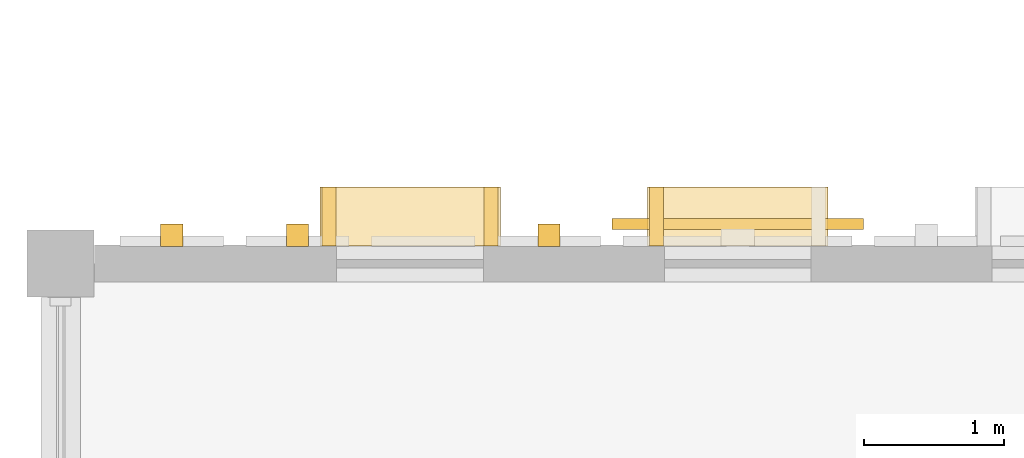
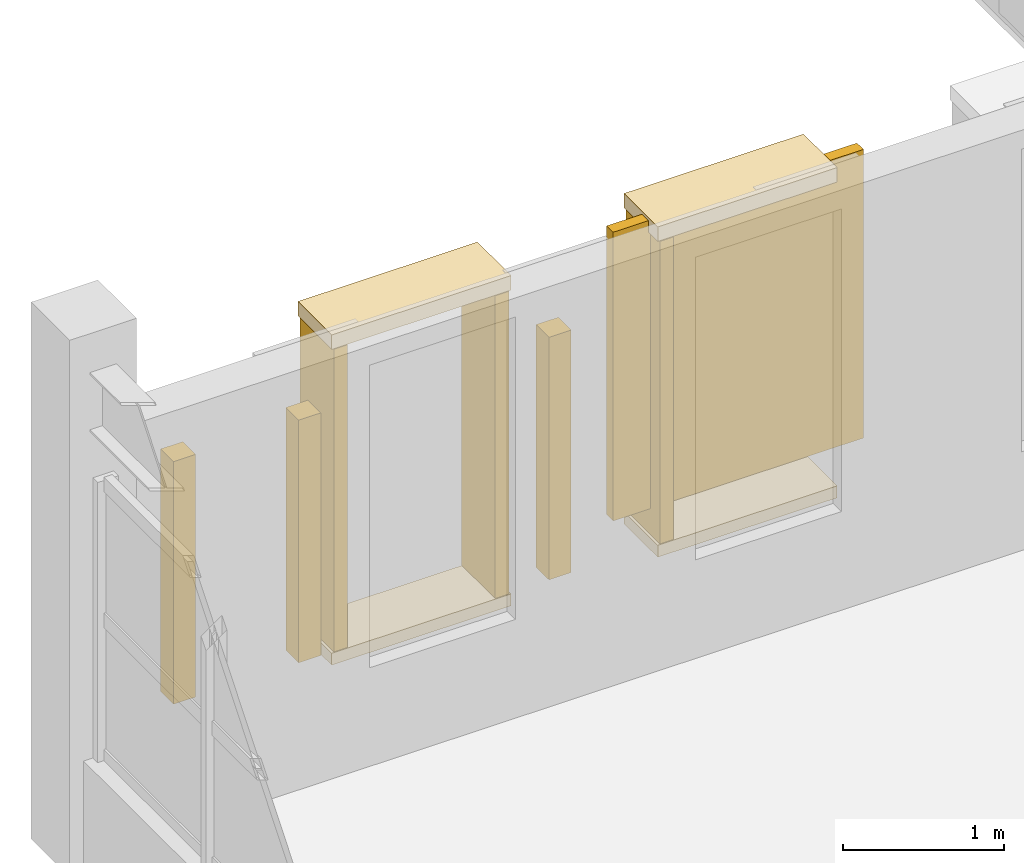
# One storey, part 66 of 79: 10 coverings, 1 shading device.
"""IFC4 building model written with IfcOpenShell, lengths in metres."""

from ifc_helpers import new_model, si_unit, direction, frame, origin, origin_2d, place, context, subcontext, project, spatial, rectangle, extrude, material, layer, layer_set, type_object, element, save


model = new_model("IFC4")

# Units and contexts
model_context = context("Model", 3, precision=1e-05, world=origin(), true_north=direction((0.0, 1.0)))
body_context = subcontext(model_context, "Body", "Model", "MODEL_VIEW")
ifc_project = project(units=[si_unit("LENGTHUNIT", "METRE"), si_unit("AREAUNIT", "SQUARE_METRE"), si_unit("VOLUMEUNIT", "CUBIC_METRE"), si_unit("PLANEANGLEUNIT", "RADIAN"), si_unit("MASSUNIT", "GRAM", prefix="KILO")], contexts=[model_context])

# Site, building, storey
site_placement = place(None, origin())
site = spatial("IfcSite", under=ifc_project, at=site_placement, CompositionType="ELEMENT")
building_placement = place(site_placement, origin())
building = spatial("IfcBuilding", under=site, at=building_placement, Name="Nzembalo Square Collegiate School", CompositionType="ELEMENT")
storey_placement = place(building_placement, frame((0.0, 0.0, 9.52001953125)))
storey = spatial("IfcBuildingStorey", under=building, at=storey_placement, Name="L02", CompositionType="ELEMENT", Elevation=9.52001953125)

# Coverings
ifc_material_1 = material(Name="Glazed ochre ceramic lancet rib")
ifc_layer_1 = layer(ifc_material_1, 0.159912109375, Name="Glazed ochre ceramic lancet rib")
ifc_layer_set_1 = layer_set([ifc_layer_1], Name="Glazed ochre ceramic lancet rib")
covering_type_1 = type_object("IfcCoveringType", Name="CL02", PredefinedType="CLADDING", material=ifc_layer_set_1)
for number, where, z_axis, x_axis, name in (
    (1, (131.594970703125, 50.6025390625, 0.759765625), (0.0, 0.0, 1.0), (1.0, 0.0, 0.0), "Gothic ceramic rib CL02-X0147-0"),
    (2, (132.4951171875, 50.6025390625, 0.759765625), (0.0, 0.0, 1.0), (1.0, 0.0, 0.0), "Gothic ceramic rib CL02-X0147-1"),
    (3, (134.294921875, 50.6025390625, 0.759765625), (0.0, 0.0, 1.0), (1.0, 0.0, 0.0), "Gothic ceramic rib CL02-X0147-3"),
):
    element("IfcCovering", number, at=place(storey_placement, frame(where, z_axis=z_axis, x_axis=x_axis)), inside=storey, type_object=covering_type_1, Name=name, PredefinedType="CLADDING", context=body_context, shape_type="SweptSolid", body=[
        extrude(rectangle(XDim=0.159912109375, YDim=0.159912109375, at=origin_2d()), origin(), (0.0, 0.0, 1.0), 1.843994140625),
    ])
ifc_material_2 = material(Name="Glazed celadon ceramic window frame")
ifc_layer_2 = layer(ifc_material_2, 0.419921875, Name="Glazed celadon ceramic window frame")
ifc_layer_set_2 = layer_set([ifc_layer_2], Name="Glazed celadon ceramic window frame")
covering_type_2 = type_object("IfcCoveringType", Name="WF01", PredefinedType="CLADDING", material=ifc_layer_set_2)
covering_1_placement = place(storey_placement, frame((133.301025390625, 50.737548828125, 3.0546875), z_axis=(0.0, 0.0, 1.0), x_axis=(1.0, 0.0, 0.0)))
element("IfcCovering", 4, at=covering_1_placement, inside=storey, type_object=covering_type_2, Name="Deep lancet window hood WF01-0380", PredefinedType="CLADDING", context=body_context, shape_type="SweptSolid", body=[
    extrude(rectangle(XDim=1.2900390625, YDim=0.419921875, at=origin_2d()), origin(), (0.0, 0.0, 1.0), 0.110107421875),
])
covering_2_placement = place(storey_placement, frame((133.301025390625, 50.737548828125, 0.65478515625), z_axis=(0.0, 0.0, 1.0), x_axis=(1.0, 0.0, 0.0)))
element("IfcCovering", 5, at=covering_2_placement, inside=storey, type_object=covering_type_2, Name="Deep lancet window sill WF01-0380", PredefinedType="CLADDING", context=body_context, shape_type="SweptSolid", body=[
    extrude(rectangle(XDim=1.2900390625, YDim=0.419921875, at=origin_2d()), origin(), (0.0, 0.0, 1.0), 0.090087890625),
])
for number, where, z_axis, x_axis, name in (
    (6, (132.720947265625, 50.737548828125, 0.75), (0.0, 0.0, 1.0), (1.0, 0.0, 0.0), "Deep lancet window jamb WF01-0380L"),
    (7, (133.881103515625, 50.737548828125, 0.75), (0.0, 0.0, 1.0), (1.0, 0.0, 0.0), "Deep lancet window jamb WF01-0380R"),
):
    element("IfcCovering", number, at=place(storey_placement, frame(where, z_axis=z_axis, x_axis=x_axis)), inside=storey, type_object=covering_type_2, Name=name, PredefinedType="CLADDING", context=body_context, shape_type="SweptSolid", body=[
        extrude(rectangle(XDim=0.10009765625, YDim=0.419921875, at=origin_2d()), origin(), (0.0, 0.0, 1.0), 2.300048828125),
    ])
covering_3_placement = place(storey_placement, frame((135.64501953125, 50.737548828125, 3.0546875), z_axis=(0.0, 0.0, 1.0), x_axis=(1.0, 0.0, 0.0)))
element("IfcCovering", 8, at=covering_3_placement, inside=storey, type_object=covering_type_2, Name="Deep lancet window hood WF01-0381", PredefinedType="CLADDING", context=body_context, shape_type="SweptSolid", body=[
    extrude(rectangle(XDim=1.2900390625, YDim=0.419921875, at=origin_2d()), origin(), (0.0, 0.0, 1.0), 0.110107421875),
])
covering_4_placement = place(storey_placement, frame((135.64501953125, 50.737548828125, 0.65478515625), z_axis=(0.0, 0.0, 1.0), x_axis=(1.0, 0.0, 0.0)))
element("IfcCovering", 9, at=covering_4_placement, inside=storey, type_object=covering_type_2, Name="Deep lancet window sill WF01-0381", PredefinedType="CLADDING", context=body_context, shape_type="SweptSolid", body=[
    extrude(rectangle(XDim=1.2900390625, YDim=0.419921875, at=origin_2d()), origin(), (0.0, 0.0, 1.0), 0.090087890625),
])
covering_5_placement = place(storey_placement, frame((135.06494140625, 50.737548828125, 0.75), z_axis=(0.0, 0.0, 1.0), x_axis=(1.0, 0.0, 0.0)))
element("IfcCovering", 10, at=covering_5_placement, inside=storey, type_object=covering_type_2, Name="Deep lancet window jamb WF01-0381L", PredefinedType="CLADDING", context=body_context, shape_type="SweptSolid", body=[
    extrude(rectangle(XDim=0.10009765625, YDim=0.419921875, at=origin_2d()), origin(), (0.0, 0.0, 1.0), 2.300048828125),
])

# Shading device
ifc_material_3 = material(Name="Glazed cobalt ceramic lancet screen")
ifc_layer_3 = layer(ifc_material_3, 0.080078125, Name="Glazed cobalt ceramic lancet screen")
ifc_layer_set_3 = layer_set([ifc_layer_3], Name="Glazed cobalt ceramic lancet screen")
shading_device_type = type_object("IfcShadingDeviceType", Name="SC01", PredefinedType="USERDEFINED", material=ifc_layer_set_3)
shading_device_placement = place(storey_placement, frame((135.64501953125, 50.6826171875, 0.94970703125), z_axis=(0.0, 0.0, 1.0), x_axis=(1.0, 0.0, 0.0)))
element("IfcShadingDevice", 11, at=shading_device_placement, inside=storey, type_object=shading_device_type, Name="Ceramic lancet screen SC01-001", ObjectType="SCREEN", PredefinedType="USERDEFINED", context=body_context, shape_type="SweptSolid", body=[
    extrude(rectangle(XDim=1.800048828125, YDim=0.080078125, at=origin_2d()), origin(), (0.0, 0.0, 1.0), 2.194091796875),
])

save(model, "model.ifc")
